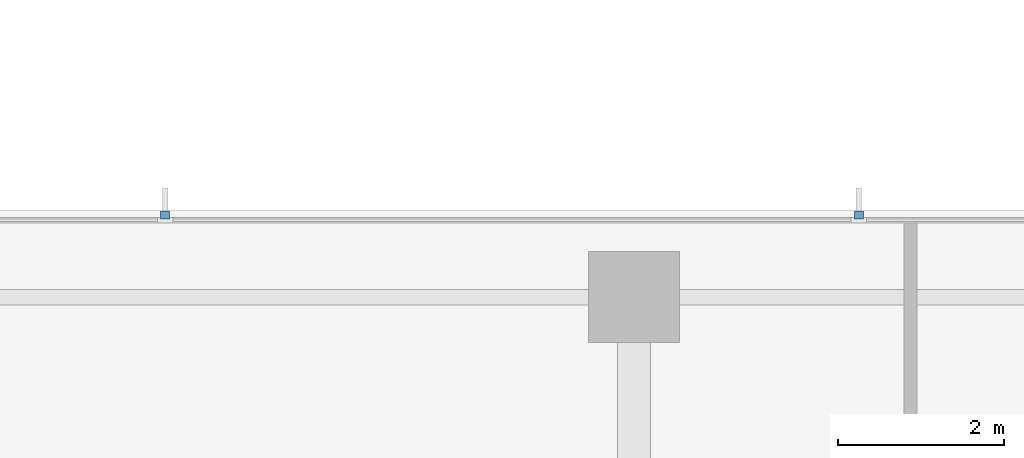
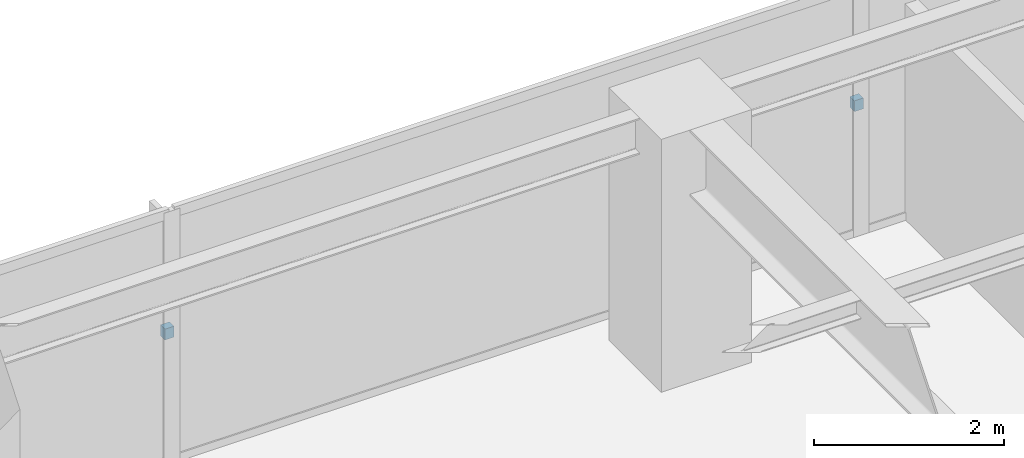
# One storey, part 13 of 15: 2 discrete accessories.
"""IFC4 building model written with IfcOpenShell, lengths in metres."""

from ifc_helpers import new_model, si_unit, direction, frame, origin, place, context, subcontext, project, spatial, polyline, outline, extrude, material, type_object, element, save


model = new_model("IFC4")

# Units and contexts
model_context = context("Model", 3, precision=1e-05, world=origin(), true_north=direction((0.0, 1.0)))
body_context = subcontext(model_context, "Body", "Model", "MODEL_VIEW")
ifc_project = project(units=[si_unit("LENGTHUNIT", "METRE"), si_unit("AREAUNIT", "SQUARE_METRE"), si_unit("VOLUMEUNIT", "CUBIC_METRE"), si_unit("PLANEANGLEUNIT", "RADIAN"), si_unit("MASSUNIT", "GRAM", prefix="KILO")], contexts=[model_context])

# Site, building, storey
site_placement = place(None, origin())
site = spatial("IfcSite", under=ifc_project, at=site_placement, CompositionType="ELEMENT")
building_placement = place(site_placement, origin())
building = spatial("IfcBuilding", under=site, at=building_placement, Name="Qalmaran Belvedere Hotel", CompositionType="ELEMENT")
storey_placement = place(building_placement, frame((0.0, 0.0, 149.10009765625)))
storey = spatial("IfcBuildingStorey", under=building, at=storey_placement, Name="L37", CompositionType="ELEMENT", Elevation=149.10009765625)

# Discrete accessories
ifc_material = material(Name="Stainless Steel 1.4401", Category="steel")
discrete_accessory_type = type_object("IfcDiscreteAccessoryType", Name="BRK-FIN-SS316", PredefinedType="BRACKET", material=ifc_material)
discrete_accessory_1_placement = place(storey_placement, frame((0.0, 0.0, 1.574951171875)))
element("IfcDiscreteAccessory", 1, at=discrete_accessory_1_placement, inside=storey, type_object=discrete_accessory_type, Name="L37 Fin Bracket 1", PredefinedType="BRACKET", context=body_context, shape_type="SweptSolid", body=[
    extrude(outline(polyline([(31.9716796875, 44.39501953125), (31.9716796875, 44.489990234375), (31.86181640625, 44.489990234375), (31.86181640625, 44.39501953125), (31.9716796875, 44.39501953125)])), origin(), (0.0, 0.0, 1.0), 0.139892578125),
])
discrete_accessory_2_placement = place(storey_placement, frame((0.0, 0.0, 1.574951171875)))
element("IfcDiscreteAccessory", 2, at=discrete_accessory_2_placement, inside=storey, type_object=discrete_accessory_type, Name="L37 Fin Bracket 2", PredefinedType="BRACKET", context=body_context, shape_type="SweptSolid", body=[
    extrude(outline(polyline([(23.58837890625, 44.39501953125), (23.58837890625, 44.489990234375), (23.478271484375, 44.489990234375), (23.478271484375, 44.39501953125), (23.58837890625, 44.39501953125)])), origin(), (0.0, 0.0, 1.0), 0.139892578125),
])

save(model, "model.ifc")
